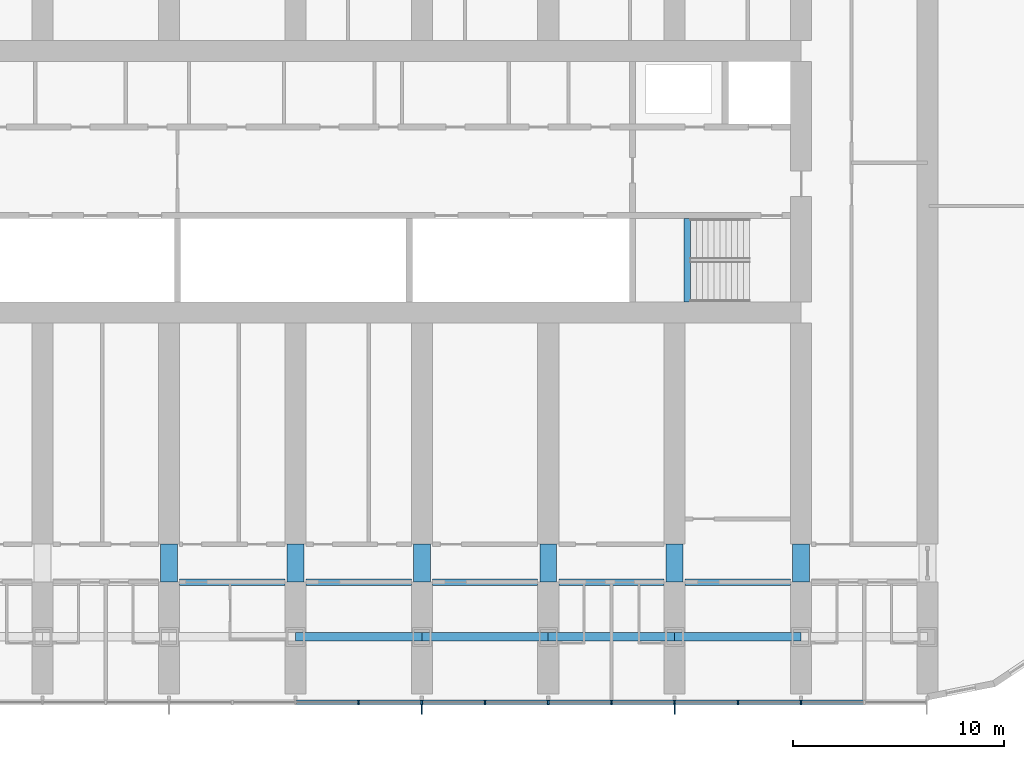
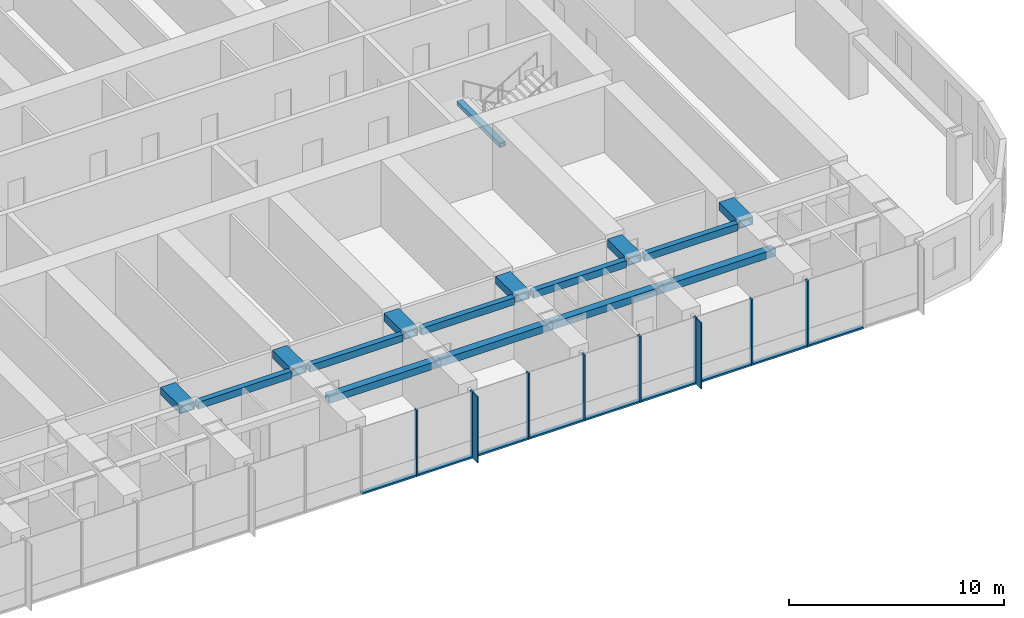
# One storey, part 3 of 23: 19 members, 16 beams, 1 element without a shape of its own.
"""IFC4 building model written with IfcOpenShell, lengths in metres."""

import ifcopenshell
import ifcopenshell.guid

model = None  # the IFC model being written
_history = None  # IfcOwnerHistory: only IFC2X3 demands one
_inside = {}  # id of a spatial element -> (the spatial element, [elements in it])
_under = {}  # id of a project, library or spatial element -> (it, [spatial elements below it])
_declared = {}  # id of a project -> (the project, [libraries it declares])
_typed = {}  # id of a type object -> (the type object, [elements of that type])
_made_of = {}  # id of a material, layer set ... -> (it, [elements and type objects made of it])


def new_model(schema):
    """Start an empty IFC model of exactly this schema.

    Asked for "IFC4X3", IfcOpenShell would pick the latest addendum, in which some entities
    have other attributes; the version numbers below select the first issue.
    IFC2X3 requires an IfcOwnerHistory on every rooted entity: one is made here for all.
    """
    global model, _history
    if schema == "IFC4X3":
        model = ifcopenshell.file(schema_version=(4, 3, 0, 0))
    else:
        model = ifcopenshell.file(schema=schema)
    _inside.clear()
    _under.clear()
    _declared.clear()
    _typed.clear()
    _made_of.clear()
    _history = None
    if model.schema == "IFC2X3":
        org = make("IfcOrganization", Name="unknown")
        user = make(
            "IfcPersonAndOrganization",
            ThePerson=make("IfcPerson", FamilyName="unknown"),
            TheOrganization=org,
        )
        app = make(
            "IfcApplication",
            ApplicationDeveloper=org,
            Version="unknown",
            ApplicationFullName="unknown",
            ApplicationIdentifier="unknown",
        )
        _history = make(
            "IfcOwnerHistory",
            OwningUser=user,
            OwningApplication=app,
            ChangeAction="ADDED",
            CreationDate=0,
        )
    return model


def make(cls, **values):
    """One entity of the class cls with the attributes given. An attribute that is None is left unset."""
    return model.create_entity(
        cls, **{name: value for name, value in values.items() if value is not None}
    )


def rooted(cls, **values):
    """An entity with a GlobalId (a new one), such as an element, a storey or a relation."""
    return make(cls, GlobalId=ifcopenshell.guid.new(), OwnerHistory=_history, **values)


def si_unit(unit_type, name, prefix=None):
    """IfcSIUnit, for example si_unit("LENGTHUNIT", "METRE", prefix="MILLI")."""
    return make("IfcSIUnit", UnitType=unit_type, Prefix=prefix, Name=name)


def assignment(units):
    """IfcUnitAssignment: the units of a project."""
    return None if units is None else make("IfcUnitAssignment", Units=units)


def point(xyz):
    """IfcCartesianPoint."""
    return None if xyz is None else make("IfcCartesianPoint", Coordinates=xyz)


def direction(xyz):
    """IfcDirection."""
    return None if xyz is None else make("IfcDirection", DirectionRatios=xyz)


def frame(location, z_axis=None, x_axis=None):
    """IfcAxis2Placement3D, a coordinate frame: its origin and axes. An axis left out is left unset."""
    return make(
        "IfcAxis2Placement3D",
        Location=point(location),
        Axis=direction(z_axis),
        RefDirection=direction(x_axis),
    )


def frame_2d(location, x_axis=None):
    """IfcAxis2Placement2D, a coordinate frame in the plane: its origin and x axis."""
    return make(
        "IfcAxis2Placement2D", Location=point(location), RefDirection=direction(x_axis)
    )


def origin():
    """The frame at (0, 0, 0) with its axes left unset."""
    return frame((0.0, 0.0, 0.0))


def origin_2d():
    """The frame at (0, 0) in the plane with its x axis left unset."""
    return frame_2d((0.0, 0.0))


def place(relative_to, where):
    """IfcLocalPlacement: puts the frame where relative to a parent placement (None: the world)."""
    return make(
        "IfcLocalPlacement", PlacementRelTo=relative_to, RelativePlacement=where
    )


def context(
    kind, dimensions, precision=None, world=None, true_north=None, identifier=None
):
    """IfcGeometricRepresentationContext, for example the 3D "Model" context."""
    return make(
        "IfcGeometricRepresentationContext",
        ContextIdentifier=identifier,
        ContextType=kind,
        CoordinateSpaceDimension=dimensions,
        Precision=precision,
        WorldCoordinateSystem=world,
        TrueNorth=true_north,
    )


def subcontext(parent, identifier, kind, view, scale=None):
    """IfcGeometricRepresentationSubContext, for example "Body" below "Model"."""
    return make(
        "IfcGeometricRepresentationSubContext",
        ContextIdentifier=identifier,
        ContextType=kind,
        ParentContext=parent,
        TargetScale=scale,
        TargetView=view,
    )


def project(units=None, contexts=None):
    """IfcProject with its units and contexts."""
    return rooted(
        "IfcProject",
        Name="project",
        RepresentationContexts=contexts,
        UnitsInContext=assignment(units),
    )


def spatial(cls, under=None, at=None, **own):
    """A site, building, storey or space (cls), placed at a placement, below another one or the project."""
    s = rooted(cls, ObjectPlacement=at, **own)
    if under is not None:
        _under.setdefault(under.id(), (under, []))[1].append(s)
    return s


def profile(cls, at=None, kind="AREA", **sizes):
    """A parametric profile (cls). Its sizes go by their IFC names, for example OverallWidth=200.0."""
    return make(cls, ProfileType=kind, Position=at, **sizes)


def rectangle(**sizes):
    """IfcRectangleProfileDef."""
    return profile("IfcRectangleProfileDef", **sizes)


def hollow_rectangle(**sizes):
    """IfcRectangleHollowProfileDef."""
    return profile("IfcRectangleHollowProfileDef", **sizes)


def extrude(swept, where, along, depth):
    """IfcExtrudedAreaSolid: the profile swept, set in the frame where, extruded along a direction by depth."""
    return make(
        "IfcExtrudedAreaSolid",
        SweptArea=swept,
        Position=where,
        ExtrudedDirection=direction(along),
        Depth=depth,
    )


def shape(context_of_items, identifier, shape_type, items):
    """IfcShapeRepresentation: the items that make up one representation, for example the "Body"."""
    return make(
        "IfcShapeRepresentation",
        ContextOfItems=context_of_items,
        RepresentationIdentifier=identifier,
        RepresentationType=shape_type,
        Items=items,
    )


def material(Name=None, Category=None):
    """IfcMaterial."""
    return make("IfcMaterial", Name=Name, Category=Category)


def material_profile(
    of_material, cross_section, Name=None, Category=None, Priority=None
):
    """IfcMaterialProfile: a cross section and its material."""
    return make(
        "IfcMaterialProfile",
        Name=Name,
        Material=of_material,
        Profile=cross_section,
        Priority=Priority,
        Category=Category,
    )


def profile_set(profiles, Name=None, composite=None):
    """IfcMaterialProfileSet."""
    return make(
        "IfcMaterialProfileSet",
        Name=Name,
        MaterialProfiles=profiles,
        CompositeProfile=composite,
    )


def made_of(thing, what):
    """Note that an element or type object is made of a material, layer set ...; save() writes the relation."""
    if what is not None:
        _made_of.setdefault(what.id(), (what, []))[1].append(thing)
    return thing


def type_object(cls, material=None, **own):
    """A type object (cls), such as IfcWallType, which elements share."""
    return made_of(rooted(cls, **own), material)


def element(
    cls,
    number,
    at=None,
    inside=None,
    cuts=None,
    type_object=None,
    material=None,
    context=None,
    identifier="Body",
    shape_type=None,
    held_by="IfcProductDefinitionShape",
    body=None,
    shapes=None,
    **own,
):
    """One element of the class cls, such as IfcWall. Its Tag is "e" and its number.

    at: its placement. inside: the storey or other place that contains it. cuts: it is an
    opening in that element (IfcRelVoidsElement). A single representation is given by context,
    identifier, shape_type and body (its items); several are given by shapes. held_by: the class
    of the entity that holds the representations. save() writes the other relations.
    """
    e = rooted(cls, Tag="e%d" % number, ObjectPlacement=at, **own)
    if body is not None:
        shapes = [shape(context, identifier, shape_type, body)]
    if shapes is not None:
        e.Representation = make(held_by, Representations=shapes)
    if inside is not None:
        _inside.setdefault(inside.id(), (inside, []))[1].append(e)
    if cuts is not None:
        rooted(
            "IfcRelVoidsElement", RelatingBuildingElement=cuts, RelatedOpeningElement=e
        )
    if type_object is not None:
        _typed.setdefault(type_object.id(), (type_object, []))[1].append(e)
    return made_of(e, material)


def aggregate(whole, parts):
    """IfcRelAggregates: a whole, such as a stair, and the parts it consists of."""
    return rooted("IfcRelAggregates", RelatingObject=whole, RelatedObjects=parts)


def save(model, path):
    """Write the relations noted so far, then the file.

    IfcRelAggregates (storeys below a building ...), IfcRelContainedInSpatialStructure (elements
    in a storey), IfcRelDefinesByType, IfcRelAssociatesMaterial and IfcRelDeclares: one each for
    every whole, place, type object, material and project.
    """
    for whole, parts in _under.values():
        aggregate(whole, parts)
    for where, things in _inside.values():
        rooted(
            "IfcRelContainedInSpatialStructure",
            RelatedElements=things,
            RelatingStructure=where,
        )
    for kind, things in _typed.values():
        rooted("IfcRelDefinesByType", RelatedObjects=things, RelatingType=kind)
    for what, things in _made_of.values():
        rooted("IfcRelAssociatesMaterial", RelatedObjects=things, RelatingMaterial=what)
    for by, libraries in _declared.values():
        rooted("IfcRelDeclares", RelatingContext=by, RelatedDefinitions=libraries)
    model.write(path)


model = new_model("IFC4")

# Units and contexts
model_context = context("Model", 3, precision=1e-05, world=origin(), true_north=direction((0.0, 1.0)))
body_context = subcontext(model_context, "Body", "Model", "MODEL_VIEW")
ifc_project = project(units=[si_unit("LENGTHUNIT", "METRE"), si_unit("AREAUNIT", "SQUARE_METRE"), si_unit("VOLUMEUNIT", "CUBIC_METRE"), si_unit("PLANEANGLEUNIT", "RADIAN"), si_unit("MASSUNIT", "GRAM", prefix="KILO")], contexts=[model_context])

# Site, building, storey
site_placement = place(None, origin())
site = spatial("IfcSite", under=ifc_project, at=site_placement, CompositionType="ELEMENT")
building_placement = place(site_placement, origin())
building = spatial("IfcBuilding", under=site, at=building_placement, Name="Orbita Commons", CompositionType="ELEMENT")
storey_placement = place(building_placement, frame((0.0, 0.0, 46.449951171875)))
storey = spatial("IfcBuildingStorey", under=building, at=storey_placement, Name="L11", CompositionType="ELEMENT", Elevation=46.449951171875)

# Curtain wall, members
ifc_material_1 = material(Name="Anodised aluminium frame, pale silver", Category="aluminium")
curtain_wall_type = type_object("IfcCurtainWallType", Name="Unitised curtain wall CW-T, vision and spandrel", PredefinedType="NOTDEFINED", material=ifc_material_1)
curtain_wall_placement = place(storey_placement, origin())
curtain_wall = element("IfcCurtainWall", 1, at=curtain_wall_placement, inside=storey, type_object=curtain_wall_type, Name="Curtain wall south L11", PredefinedType="NOTDEFINED")
ifc_material_2 = material(Name="Anodised aluminium, pale silver", Category="aluminium")
ifc_material_profile_1 = material_profile(ifc_material_2, rectangle(XDim=0.080078125, YDim=0.219970703125, at=origin_2d()), Name="AL 80x220")
ifc_profile_set_1 = profile_set([ifc_material_profile_1], Name="Anodised aluminium, pale silver")
member_type_1 = type_object("IfcMemberType", Name="Curtain wall mullion 80x220", PredefinedType="MULLION", material=ifc_profile_set_1)
member_1_placement = place(storey_placement, frame((45.0, 7.2900390625, -0.25), z_axis=(0.0, 0.0, 1.0), x_axis=(1.0, 0.0, 0.0)))
member_1 = element("IfcMember", 2, at=member_1_placement, type_object=member_type_1, Name="Mullion 12 CW-L11-S", PredefinedType="MULLION", context=body_context, shape_type="SweptSolid", body=[
    extrude(rectangle(XDim=0.080078125, YDim=0.219970703125, at=origin_2d()), origin(), (0.0, 0.0, 1.0), 3.75),
])
member_2_placement = place(storey_placement, frame((48.0, 7.2900390625, -0.25), z_axis=(0.0, 0.0, 1.0), x_axis=(1.0, 0.0, 0.0)))
member_2 = element("IfcMember", 3, at=member_2_placement, type_object=member_type_1, Name="Mullion 13 CW-L11-S", PredefinedType="MULLION", context=body_context, shape_type="SweptSolid", body=[
    extrude(rectangle(XDim=0.080078125, YDim=0.219970703125, at=origin_2d()), origin(), (0.0, 0.0, 1.0), 3.75),
])
member_3_placement = place(storey_placement, frame((51.0, 7.2900390625, -0.25), z_axis=(0.0, 0.0, 1.0), x_axis=(1.0, 0.0, 0.0)))
member_3 = element("IfcMember", 4, at=member_3_placement, type_object=member_type_1, Name="Mullion 14 CW-L11-S", PredefinedType="MULLION", context=body_context, shape_type="SweptSolid", body=[
    extrude(rectangle(XDim=0.080078125, YDim=0.219970703125, at=origin_2d()), origin(), (0.0, 0.0, 1.0), 3.75),
])
member_4_placement = place(storey_placement, frame((54.0, 7.2900390625, -0.25), z_axis=(0.0, 0.0, 1.0), x_axis=(1.0, 0.0, 0.0)))
member_4 = element("IfcMember", 5, at=member_4_placement, type_object=member_type_1, Name="Mullion 15 CW-L11-S", PredefinedType="MULLION", context=body_context, shape_type="SweptSolid", body=[
    extrude(rectangle(XDim=0.080078125, YDim=0.219970703125, at=origin_2d()), origin(), (0.0, 0.0, 1.0), 3.75),
])
member_5_placement = place(storey_placement, frame((57.0, 7.2900390625, -0.25), z_axis=(0.0, 0.0, 1.0), x_axis=(1.0, 0.0, 0.0)))
member_5 = element("IfcMember", 6, at=member_5_placement, type_object=member_type_1, Name="Mullion 16 CW-L11-S", PredefinedType="MULLION", context=body_context, shape_type="SweptSolid", body=[
    extrude(rectangle(XDim=0.080078125, YDim=0.219970703125, at=origin_2d()), origin(), (0.0, 0.0, 1.0), 3.75),
])
member_6_placement = place(storey_placement, frame((60.0, 7.2900390625, -0.25), z_axis=(0.0, 0.0, 1.0), x_axis=(1.0, 0.0, 0.0)))
member_6 = element("IfcMember", 7, at=member_6_placement, type_object=member_type_1, Name="Mullion 17 CW-L11-S", PredefinedType="MULLION", context=body_context, shape_type="SweptSolid", body=[
    extrude(rectangle(XDim=0.080078125, YDim=0.219970703125, at=origin_2d()), origin(), (0.0, 0.0, 1.0), 3.75),
])
member_7_placement = place(storey_placement, frame((63.0, 7.2900390625, -0.25), z_axis=(0.0, 0.0, 1.0), x_axis=(1.0, 0.0, 0.0)))
member_7 = element("IfcMember", 8, at=member_7_placement, type_object=member_type_1, Name="Mullion 18 CW-L11-S", PredefinedType="MULLION", context=body_context, shape_type="SweptSolid", body=[
    extrude(rectangle(XDim=0.080078125, YDim=0.219970703125, at=origin_2d()), origin(), (0.0, 0.0, 1.0), 3.75),
])
member_8_placement = place(storey_placement, frame((66.0, 7.2900390625, -0.25), z_axis=(0.0, 0.0, 1.0), x_axis=(1.0, 0.0, 0.0)))
member_8 = element("IfcMember", 9, at=member_8_placement, type_object=member_type_1, Name="Mullion 19 CW-L11-S", PredefinedType="MULLION", context=body_context, shape_type="SweptSolid", body=[
    extrude(rectangle(XDim=0.080078125, YDim=0.219970703125, at=origin_2d()), origin(), (0.0, 0.0, 1.0), 3.75),
])
ifc_material_3 = material(Name="Anodised aluminium, pale silver", Category="aluminium")
ifc_material_profile_2 = material_profile(ifc_material_3, rectangle(XDim=0.219970703125, YDim=0.10009765625, at=origin_2d()), Name="AL 220x100")
ifc_profile_set_2 = profile_set([ifc_material_profile_2], Name="Anodised aluminium, pale silver")
member_type_2 = type_object("IfcMemberType", Name="Curtain wall stack transom 220x100", PredefinedType="USERDEFINED", material=ifc_profile_set_2)
member_9_placement = place(storey_placement, frame((42.0400390625, 7.2900390625, -0.199951171875), z_axis=(1.0, 0.0, 0.0), x_axis=(0.0, 1.0, 0.0)))
member_9 = element("IfcMember", 10, at=member_9_placement, type_object=member_type_2, Name="Transom 11.1 CW-L11-S", ObjectType="TRANSOM", PredefinedType="USERDEFINED", context=body_context, shape_type="SweptSolid", body=[
    extrude(rectangle(XDim=0.219970703125, YDim=0.10009765625, at=origin_2d()), origin(), (0.0, 0.0, 1.0), 2.919921875),
])
member_10_placement = place(storey_placement, frame((45.0400390625, 7.2900390625, -0.199951171875), z_axis=(1.0, 0.0, 0.0), x_axis=(0.0, 1.0, 0.0)))
member_10 = element("IfcMember", 11, at=member_10_placement, type_object=member_type_2, Name="Transom 12.1 CW-L11-S", ObjectType="TRANSOM", PredefinedType="USERDEFINED", context=body_context, shape_type="SweptSolid", body=[
    extrude(rectangle(XDim=0.219970703125, YDim=0.10009765625, at=origin_2d()), origin(), (0.0, 0.0, 1.0), 2.919921875),
])
member_11_placement = place(storey_placement, frame((48.0400390625, 7.2900390625, -0.199951171875), z_axis=(1.0, 0.0, 0.0), x_axis=(0.0, 1.0, 0.0)))
member_11 = element("IfcMember", 12, at=member_11_placement, type_object=member_type_2, Name="Transom 13.1 CW-L11-S", ObjectType="TRANSOM", PredefinedType="USERDEFINED", context=body_context, shape_type="SweptSolid", body=[
    extrude(rectangle(XDim=0.219970703125, YDim=0.10009765625, at=origin_2d()), origin(), (0.0, 0.0, 1.0), 2.919921875),
])
member_12_placement = place(storey_placement, frame((51.0400390625, 7.2900390625, -0.199951171875), z_axis=(1.0, 0.0, 0.0), x_axis=(0.0, 1.0, 0.0)))
member_12 = element("IfcMember", 13, at=member_12_placement, type_object=member_type_2, Name="Transom 14.1 CW-L11-S", ObjectType="TRANSOM", PredefinedType="USERDEFINED", context=body_context, shape_type="SweptSolid", body=[
    extrude(rectangle(XDim=0.219970703125, YDim=0.10009765625, at=origin_2d()), origin(), (0.0, 0.0, 1.0), 2.919921875),
])
member_13_placement = place(storey_placement, frame((54.0400390625, 7.2900390625, -0.199951171875), z_axis=(1.0, 0.0, 0.0), x_axis=(0.0, 1.0, 0.0)))
member_13 = element("IfcMember", 14, at=member_13_placement, type_object=member_type_2, Name="Transom 15.1 CW-L11-S", ObjectType="TRANSOM", PredefinedType="USERDEFINED", context=body_context, shape_type="SweptSolid", body=[
    extrude(rectangle(XDim=0.219970703125, YDim=0.10009765625, at=origin_2d()), origin(), (0.0, 0.0, 1.0), 2.919921875),
])
member_14_placement = place(storey_placement, frame((57.0400390625, 7.2900390625, -0.199951171875), z_axis=(1.0, 0.0, 0.0), x_axis=(0.0, 1.0, 0.0)))
member_14 = element("IfcMember", 15, at=member_14_placement, type_object=member_type_2, Name="Transom 16.1 CW-L11-S", ObjectType="TRANSOM", PredefinedType="USERDEFINED", context=body_context, shape_type="SweptSolid", body=[
    extrude(rectangle(XDim=0.219970703125, YDim=0.10009765625, at=origin_2d()), origin(), (0.0, 0.0, 1.0), 2.919921875),
])
member_15_placement = place(storey_placement, frame((60.0400390625, 7.2900390625, -0.199951171875), z_axis=(1.0, 0.0, 0.0), x_axis=(0.0, 1.0, 0.0)))
member_15 = element("IfcMember", 16, at=member_15_placement, type_object=member_type_2, Name="Transom 17.1 CW-L11-S", ObjectType="TRANSOM", PredefinedType="USERDEFINED", context=body_context, shape_type="SweptSolid", body=[
    extrude(rectangle(XDim=0.219970703125, YDim=0.10009765625, at=origin_2d()), origin(), (0.0, 0.0, 1.0), 2.919921875),
])
member_16_placement = place(storey_placement, frame((63.0400390625, 7.2900390625, -0.199951171875), z_axis=(1.0, 0.0, 0.0), x_axis=(0.0, 1.0, 0.0)))
member_16 = element("IfcMember", 17, at=member_16_placement, type_object=member_type_2, Name="Transom 18.1 CW-L11-S", ObjectType="TRANSOM", PredefinedType="USERDEFINED", context=body_context, shape_type="SweptSolid", body=[
    extrude(rectangle(XDim=0.219970703125, YDim=0.10009765625, at=origin_2d()), origin(), (0.0, 0.0, 1.0), 2.919921875),
])
member_17_placement = place(storey_placement, frame((66.0400390625, 7.2900390625, -0.199951171875), z_axis=(1.0, 0.0, 0.0), x_axis=(0.0, 1.0, 0.0)))
member_17 = element("IfcMember", 18, at=member_17_placement, type_object=member_type_2, Name="Transom 19.1 CW-L11-S", ObjectType="TRANSOM", PredefinedType="USERDEFINED", context=body_context, shape_type="SweptSolid", body=[
    extrude(rectangle(XDim=0.219970703125, YDim=0.10009765625, at=origin_2d()), origin(), (0.0, 0.0, 1.0), 2.919921875),
])

# Beams
ifc_material_4 = material(Name="Steel ASTM A572 Gr 50 welded plate", Category="steel")
ifc_material_profile_3 = material_profile(ifc_material_4, hollow_rectangle(XDim=0.300048828125, YDim=0.25, WallThickness=0.02490234375, at=origin_2d()), Name="BOX 250x300x25")
ifc_profile_set_3 = profile_set([ifc_material_profile_3], Name="Steel ASTM A572 Gr 50 welded plate")
beam_type_1 = type_object("IfcBeamType", Name="Stair landing beam steel BOX 250x300x25", PredefinedType="BEAM", material=ifc_profile_set_3)
beam_placement = place(storey_placement, frame((60.60009765625, 26.284912109375, 1.550048828125), z_axis=(0.0, 1.0, 0.0), x_axis=(-1.0, 0.0, 0.0)))
element("IfcBeam", 19, at=beam_placement, inside=storey, type_object=beam_type_1, Name="Stair S2 landing beam L11 1", PredefinedType="BEAM", context=body_context, shape_type="SweptSolid", body=[
    extrude(hollow_rectangle(XDim=0.300048828125, YDim=0.25, WallThickness=0.02490234375, at=origin_2d()), origin(), (0.0, 0.0, 1.0), 3.97998046875),
])
ifc_material_5 = material(Name="Steel ASTM A572 Gr 50 welded plate", Category="steel")
ifc_material_profile_4 = material_profile(ifc_material_5, hollow_rectangle(XDim=0.300048828125, YDim=0.39990234375, WallThickness=0.0400390625, at=origin_2d()), Name="BOX 400x300x40")
ifc_profile_set_4 = profile_set([ifc_material_profile_4], Name="Steel ASTM A572 Gr 50 welded plate")
beam_type_2 = type_object("IfcBeamType", Name="Steel corridor link BOX 400x300x40", PredefinedType="BEAM", material=ifc_profile_set_4)
for number, where, z_axis, x_axis, name in (
    (20, (36.5, 13.0, 3.300048828125), (1.0, 0.0, 0.0), (0.0, 1.0, 0.0), "Corridor beam SA 7-8 L11"),
    (21, (42.5, 13.0, 3.300048828125), (1.0, 0.0, 0.0), (0.0, 1.0, 0.0), "Corridor beam SA 8-9 L11"),
    (22, (48.5, 13.0, 3.300048828125), (1.0, 0.0, 0.0), (0.0, 1.0, 0.0), "Corridor beam SA 9-10 L11"),
    (23, (54.5, 13.0, 3.300048828125), (1.0, 0.0, 0.0), (0.0, 1.0, 0.0), "Corridor beam SA 10-11 L11"),
    (24, (60.5, 13.0, 3.300048828125), (1.0, 0.0, 0.0), (0.0, 1.0, 0.0), "Corridor beam SA 11-12 L11"),
):
    element("IfcBeam", number, at=place(storey_placement, frame(where, z_axis=z_axis, x_axis=x_axis)), inside=storey, type_object=beam_type_2, Name=name, PredefinedType="BEAM", context=body_context, shape_type="SweptSolid", body=[
        extrude(hollow_rectangle(XDim=0.300048828125, YDim=0.39990234375, WallThickness=0.0400390625, at=origin_2d()), origin(), (0.0, 0.0, 1.0), 5.0),
    ])
ifc_material_6 = material(Name="Steel ASTM A572 Gr 50 welded plate", Category="steel")
ifc_material_profile_5 = material_profile(ifc_material_6, hollow_rectangle(XDim=0.800048828125, YDim=0.449951171875, WallThickness=0.06005859375, at=origin_2d()), Name="BOX 450x800x60")
ifc_profile_set_5 = profile_set([ifc_material_profile_5], Name="Steel ASTM A572 Gr 50 welded plate")
beam_type_3 = type_object("IfcBeamType", Name="Steel coupling link BOX 450x800x60", PredefinedType="LINTEL", material=ifc_profile_set_5)
for number, where, z_axis, x_axis, name in (
    (25, (36.0, 13.0, 3.275146484375), (0.0, 1.0, 0.0), (-1.0, 0.0, 0.0), "Coupling beam 7 south L11"),
    (26, (42.0, 13.0, 3.275146484375), (0.0, 1.0, 0.0), (-1.0, 0.0, 0.0), "Coupling beam 8 south L11"),
    (27, (48.0, 13.0, 3.275146484375), (0.0, 1.0, 0.0), (-1.0, 0.0, 0.0), "Coupling beam 9 south L11"),
    (28, (54.0, 13.0, 3.275146484375), (0.0, 1.0, 0.0), (-1.0, 0.0, 0.0), "Coupling beam 10 south L11"),
    (29, (60.0, 13.0, 3.275146484375), (0.0, 1.0, 0.0), (-1.0, 0.0, 0.0), "Coupling beam 11 south L11"),
    (30, (66.0, 13.0, 3.275146484375), (0.0, 1.0, 0.0), (-1.0, 0.0, 0.0), "Coupling beam 12 south L11"),
):
    element("IfcBeam", number, at=place(storey_placement, frame(where, z_axis=z_axis, x_axis=x_axis)), inside=storey, type_object=beam_type_3, Name=name, PredefinedType="LINTEL", context=body_context, shape_type="SweptSolid", body=[
        extrude(hollow_rectangle(XDim=0.800048828125, YDim=0.449951171875, WallThickness=0.06005859375, at=origin_2d()), origin(), (0.0, 0.0, 1.0), 1.800048828125),
    ])
ifc_material_7 = material(Name="Steel ASTM A572 Gr 50 welded plate", Category="steel")
ifc_material_profile_6 = material_profile(ifc_material_7, hollow_rectangle(XDim=0.39990234375, YDim=0.39990234375, WallThickness=0.0400390625, at=origin_2d()), Name="BOX 400x400x40")
ifc_profile_set_6 = profile_set([ifc_material_profile_6], Name="Steel ASTM A572 Gr 50 welded plate")
beam_type_4 = type_object("IfcBeamType", Name="Steel spandrel BOX 400x400x40", PredefinedType="SPANDREL", material=ifc_profile_set_6)
for number, where, z_axis, x_axis, name in (
    (31, (42.0, 10.39990234375, 3.300048828125), (1.0, 0.0, 0.0), (0.0, 1.0, 0.0), "Spandrel beam B 8-9 L11"),
    (32, (48.0, 10.39990234375, 3.300048828125), (1.0, 0.0, 0.0), (0.0, 1.0, 0.0), "Spandrel beam B 9-10 L11"),
    (33, (54.0, 10.39990234375, 3.300048828125), (1.0, 0.0, 0.0), (0.0, 1.0, 0.0), "Spandrel beam B 10-11 L11"),
    (34, (60.0, 10.39990234375, 3.300048828125), (1.0, 0.0, 0.0), (0.0, 1.0, 0.0), "Spandrel beam B 11-12 L11"),
):
    element("IfcBeam", number, at=place(storey_placement, frame(where, z_axis=z_axis, x_axis=x_axis)), inside=storey, type_object=beam_type_4, Name=name, PredefinedType="SPANDREL", context=body_context, shape_type="SweptSolid", body=[
        extrude(hollow_rectangle(XDim=0.39990234375, YDim=0.39990234375, WallThickness=0.0400390625, at=origin_2d()), origin(), (0.0, 0.0, 1.0), 6.0),
    ])

# Member
ifc_material_8 = material(Name="Anodised aluminium, pale silver", Category="aluminium")
ifc_material_profile_7 = material_profile(ifc_material_8, rectangle(XDim=0.06005859375, YDim=0.449951171875, at=origin_2d()), Name="FIN 60x450")
ifc_profile_set_7 = profile_set([ifc_material_profile_7], Name="Anodised aluminium, pale silver")
member_type_3 = type_object("IfcMemberType", Name="Vertical fin 60x450 pale aluminium", PredefinedType="USERDEFINED", material=ifc_profile_set_7)
member_18_placement = place(storey_placement, frame((48.0, 6.955078125, -0.25), z_axis=(0.0, 0.0, 1.0), x_axis=(1.0, 0.0, 0.0)))
member_18 = element("IfcMember", 35, at=member_18_placement, type_object=member_type_3, Name="Fin 13 CW-L11-S", ObjectType="FIN", PredefinedType="USERDEFINED", context=body_context, shape_type="SweptSolid", body=[
    extrude(rectangle(XDim=0.06005859375, YDim=0.449951171875, at=origin_2d()), origin(), (0.0, 0.0, 1.0), 3.75),
])

member_19_placement = place(storey_placement, frame((60.0, 6.955078125, -0.25), z_axis=(0.0, 0.0, 1.0), x_axis=(1.0, 0.0, 0.0)))
member_19 = element("IfcMember", 36, at=member_19_placement, type_object=member_type_3, Name="Fin 17 CW-L11-S", ObjectType="FIN", PredefinedType="USERDEFINED", context=body_context, shape_type="SweptSolid", body=[
    extrude(rectangle(XDim=0.06005859375, YDim=0.449951171875, at=origin_2d()), origin(), (0.0, 0.0, 1.0), 3.75),
])

aggregate(curtain_wall, [member_1, member_2, member_18, member_3, member_4, member_5, member_6, member_19, member_7, member_8, member_9, member_10, member_11, member_12, member_13, member_14, member_15, member_16, member_17])

save(model, "model.ifc")
